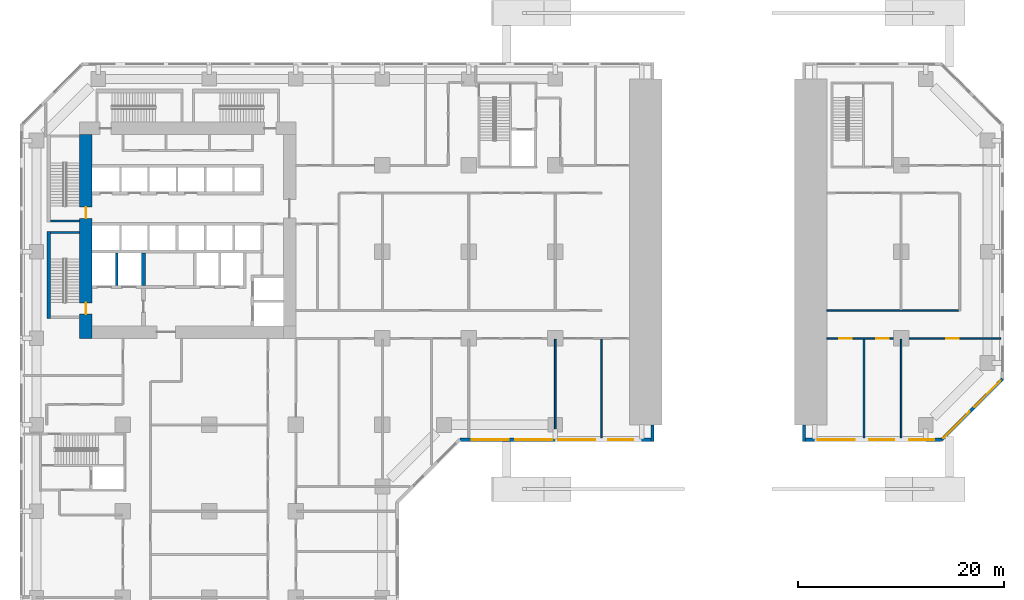
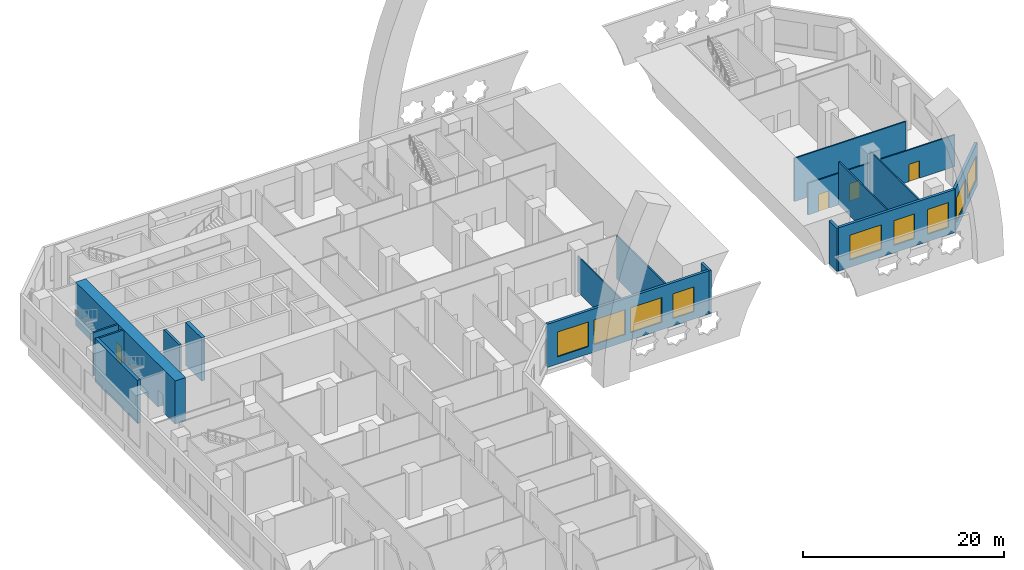
# One storey, part 8 of 19: 17 walls, 9 windows, 5 doors, 14 openings.
"""IFC4 building model written with IfcOpenShell, lengths in metres."""

from ifc_helpers import new_model, si_unit, direction, frame, frame_2d, origin, place, context, subcontext, project, spatial, rectangle, extrude, material, layer, layer_set, type_object, element, fill, save


model = new_model("IFC4")

# Units and contexts
model_context = context("Model", 3, precision=1e-05, world=origin(), true_north=direction((0.0, 1.0)))
body_context = subcontext(model_context, "Body", "Model", "MODEL_VIEW")
ifc_project = project(units=[si_unit("LENGTHUNIT", "METRE"), si_unit("AREAUNIT", "SQUARE_METRE"), si_unit("VOLUMEUNIT", "CUBIC_METRE"), si_unit("PLANEANGLEUNIT", "RADIAN"), si_unit("MASSUNIT", "GRAM", prefix="KILO")], contexts=[model_context])

# Site, building, storey
site_placement = place(None, origin())
site = spatial("IfcSite", under=ifc_project, at=site_placement, CompositionType="ELEMENT")
building_placement = place(site_placement, origin())
building = spatial("IfcBuilding", under=site, at=building_placement, Name="Kawkab Arch Medical Tower", CompositionType="ELEMENT")
storey_placement = place(building_placement, frame((0.0, 0.0, 12.60009765625)))
storey = spatial("IfcBuildingStorey", under=building, at=storey_placement, Name="L03", CompositionType="ELEMENT", Elevation=12.60009765625)

# Wall, openings, doors
ifc_material_1 = material(Name="Concrete C60/75", Category="concrete")
ifc_layer_1 = layer(ifc_material_1, 1.199951171875)
ifc_layer_set_1 = layer_set([ifc_layer_1], Name="Concrete C60/75")
wall_type_1 = type_object("IfcWallType", Name="Core ring wall 1200 C60/75", PredefinedType="SHEAR", material=ifc_layer_set_1)
wall_1_placement = place(storey_placement, frame((4.800048828125, -25.199951171875, 0.0), z_axis=(0.0, 0.0, 1.0), x_axis=(0.0, 1.0, 0.0)))
wall_1 = element("IfcWall", 1, at=wall_1_placement, inside=storey, type_object=wall_type_1, Name="L03 core wall", PredefinedType="SHEAR", context=body_context, shape_type="SweptSolid", body=[
    extrude(rectangle(XDim=19.800048828125, YDim=1.199951171875, at=frame_2d((9.89990234375, 0.0))), origin(), (0.0, 0.0, 1.0), 5.25),
])
opening_1_placement = place(wall_1_placement, frame((11.64990234375, 0.0, 0.0)))
opening_1 = element("IfcOpeningElement", 2, at=opening_1_placement, cuts=wall_1, Name="Opening SD", PredefinedType="OPENING", context=body_context, shape_type="SweptSolid", body=[
    extrude(rectangle(XDim=1.10009765625, YDim=2.10009765625, at=frame_2d((0.550048828125, 1.050048828125))), frame((0.0, 0.60986328125, 0.0), z_axis=(0.0, -1.0, 0.0), x_axis=(1.0, 0.0, 0.0)), (0.0, 0.0, 1.0), 1.219970703125),
])
opening_2_placement = place(wall_1_placement, frame((2.35009765625, 0.0, 0.0)))
opening_2 = element("IfcOpeningElement", 3, at=opening_2_placement, cuts=wall_1, Name="Opening SD", PredefinedType="OPENING", context=body_context, shape_type="SweptSolid", body=[
    extrude(rectangle(XDim=1.10009765625, YDim=2.10009765625, at=frame_2d((0.550048828125, 1.050048828125))), frame((0.0, 0.60986328125, 0.0), z_axis=(0.0, -1.0, 0.0), x_axis=(1.0, 0.0, 0.0)), (0.0, 0.0, 1.0), 1.219970703125),
])
ifc_material_2 = material(Name="Hollow metal fire door leaf")
door_type_1 = type_object("IfcDoorType", Name="Exit stair door 1100", OperationType="SINGLE_SWING_LEFT", PredefinedType="DOOR", material=ifc_material_2)
door_1_placement = place(opening_1_placement, origin())
door_1 = element("IfcDoor", 4, at=door_1_placement, inside=storey, type_object=door_type_1, Name="L03 Exit stair ST1 door", OperationType="SINGLE_SWING_LEFT", OverallHeight=2.10009765625, OverallWidth=1.10009765625, PredefinedType="DOOR", context=body_context, shape_type="SweptSolid", body=[
    extrude(rectangle(XDim=1.10009765625, YDim=2.10009765625, at=frame_2d((0.550048828125, 1.050048828125))), frame((0.0, 0.02490234375, 0.0), z_axis=(0.0, -1.0, 0.0), x_axis=(1.0, 0.0, 0.0)), (0.0, 0.0, 1.0), 0.050048828125),
])
fill(opening_1, door_1)
door_2_placement = place(opening_2_placement, origin())
door_2 = element("IfcDoor", 5, at=door_2_placement, inside=storey, type_object=door_type_1, Name="L03 Exit stair ST2 door", OperationType="SINGLE_SWING_LEFT", OverallHeight=2.10009765625, OverallWidth=1.10009765625, PredefinedType="DOOR", context=body_context, shape_type="SweptSolid", body=[
    extrude(rectangle(XDim=1.10009765625, YDim=2.10009765625, at=frame_2d((0.550048828125, 1.050048828125))), frame((0.0, 0.02490234375, 0.0), z_axis=(0.0, -1.0, 0.0), x_axis=(1.0, 0.0, 0.0)), (0.0, 0.0, 1.0), 0.050048828125),
])
fill(opening_2, door_2)

# Walls
ifc_material_3 = material(Name="Concrete C60/75", Category="concrete")
ifc_layer_2 = layer(ifc_material_3, 0.25)
ifc_layer_set_2 = layer_set([ifc_layer_2], Name="Concrete C60/75")
wall_type_2 = type_object("IfcWallType", Name="Core shear wall 250 C60/75", PredefinedType="SHEAR", material=ifc_layer_set_2)
wall_2_placement = place(storey_placement, frame((7.800048828125, -20.050048828125, 0.0), z_axis=(0.0, 0.0, 1.0), x_axis=(0.0, 1.0, 0.0)))
element("IfcWall", 6, at=wall_2_placement, inside=storey, type_object=wall_type_2, Name="L03 core shear wall", PredefinedType="SHEAR", context=body_context, shape_type="SweptSolid", body=[
    extrude(rectangle(XDim=3.150146484375, YDim=0.25, at=frame_2d((1.5751953125, 0.0))), origin(), (0.0, 0.0, 1.0), 5.25),
])
ifc_material_4 = material(Name="Concrete C60/75", Category="concrete")
ifc_layer_3 = layer(ifc_material_4, 0.39990234375)
ifc_layer_set_3 = layer_set([ifc_layer_3], Name="Concrete C60/75")
wall_type_3 = type_object("IfcWallType", Name="Core shear wall 400 C60/75", PredefinedType="SHEAR", material=ifc_layer_set_3)
wall_3_placement = place(storey_placement, frame((10.39990234375, -20.050048828125, 0.0), z_axis=(0.0, 0.0, 1.0), x_axis=(0.0, 1.0, 0.0)))
element("IfcWall", 7, at=wall_3_placement, inside=storey, type_object=wall_type_3, Name="L03 core shear wall", PredefinedType="SHEAR", context=body_context, shape_type="SweptSolid", body=[
    extrude(rectangle(XDim=3.150146484375, YDim=0.39990234375, at=frame_2d((1.5751953125, 0.0))), origin(), (0.0, 0.0, 1.0), 5.25),
])

# Wall, openings, doors
ifc_material_5 = material(Name="Gypsum board partition on steel studs, mineral wool", Category="steel")
ifc_layer_4 = layer(ifc_material_5, 0.14990234375)
ifc_layer_set_4 = layer_set([ifc_layer_4], Name="Gypsum board partition on steel studs, mineral wool")
wall_type_4 = type_object("IfcWallType", Name="Partition 150", PredefinedType="PARTITIONING", material=ifc_layer_set_4)
wall_4_placement = place(storey_placement, frame((76.800048828125, -25.199951171875, 0.0), z_axis=(0.0, 0.0, 1.0), x_axis=(1.0, 0.0, 0.0)))
wall_4 = element("IfcWall", 8, at=wall_4_placement, inside=storey, type_object=wall_type_4, Name="Partition 150 w034", PredefinedType="PARTITIONING", context=body_context, shape_type="SweptSolid", body=[
    extrude(rectangle(XDim=16.8798828125, YDim=0.14990234375, at=frame_2d((8.43994140625, 0.0))), origin(), (0.0, 0.0, 1.0), 3.849853515625),
])
opening_3_placement = place(wall_4_placement, frame((1.199951171875, 0.0, 0.0)))
opening_3 = element("IfcOpeningElement", 9, at=opening_3_placement, cuts=wall_4, Name="Opening P03-066", PredefinedType="OPENING", context=body_context, shape_type="SweptSolid", body=[
    extrude(rectangle(XDim=1.199951171875, YDim=2.10009765625, at=frame_2d((0.60009765625, 1.050048828125))), frame((0.0, 0.0849609375, 0.0), z_axis=(0.0, -1.0, 0.0), x_axis=(1.0, 0.0, 0.0)), (0.0, 0.0, 1.0), 0.169921875),
])
opening_4_placement = place(wall_4_placement, frame((4.800048828125, 0.0, 0.0)))
opening_4 = element("IfcOpeningElement", 10, at=opening_4_placement, cuts=wall_4, Name="Opening P03-067", PredefinedType="OPENING", context=body_context, shape_type="SweptSolid", body=[
    extrude(rectangle(XDim=1.199951171875, YDim=2.10009765625, at=frame_2d((0.60009765625, 1.050048828125))), frame((0.0, 0.0849609375, 0.0), z_axis=(0.0, -1.0, 0.0), x_axis=(1.0, 0.0, 0.0)), (0.0, 0.0, 1.0), 0.169921875),
])
opening_5_placement = place(wall_4_placement, frame((11.60009765625, 0.0, 0.0)))
opening_5 = element("IfcOpeningElement", 11, at=opening_5_placement, cuts=wall_4, Name="Opening P03-068", PredefinedType="OPENING", context=body_context, shape_type="SweptSolid", body=[
    extrude(rectangle(XDim=1.199951171875, YDim=2.10009765625, at=frame_2d((0.60009765625, 1.050048828125))), frame((0.0, 0.0849609375, 0.0), z_axis=(0.0, -1.0, 0.0), x_axis=(1.0, 0.0, 0.0)), (0.0, 0.0, 1.0), 0.169921875),
])
ifc_material_6 = material(Name="Hollow metal door leaf")
door_type_2 = type_object("IfcDoorType", Name="Single door 1200x2100 FD30S", OperationType="NOTDEFINED", PredefinedType="DOOR", material=ifc_material_6)
door_3_placement = place(opening_3_placement, origin())
door_3 = element("IfcDoor", 12, at=door_3_placement, inside=storey, type_object=door_type_2, Name="Door P03-066", OperationType="SINGLE_SWING_RIGHT", OverallHeight=2.10009765625, OverallWidth=1.199951171875, PredefinedType="DOOR", context=body_context, shape_type="SweptSolid", body=[
    extrude(rectangle(XDim=1.199951171875, YDim=2.10009765625, at=frame_2d((0.60009765625, 1.050048828125))), frame((0.0, 0.02490234375, 0.0), z_axis=(0.0, -1.0, 0.0), x_axis=(1.0, 0.0, 0.0)), (0.0, 0.0, 1.0), 0.050048828125),
])
fill(opening_3, door_3)
door_4_placement = place(opening_4_placement, origin())
door_4 = element("IfcDoor", 13, at=door_4_placement, inside=storey, type_object=door_type_2, Name="Door P03-067", OperationType="SINGLE_SWING_RIGHT", OverallHeight=2.10009765625, OverallWidth=1.199951171875, PredefinedType="DOOR", context=body_context, shape_type="SweptSolid", body=[
    extrude(rectangle(XDim=1.199951171875, YDim=2.10009765625, at=frame_2d((0.60009765625, 1.050048828125))), frame((0.0, 0.02490234375, 0.0), z_axis=(0.0, -1.0, 0.0), x_axis=(1.0, 0.0, 0.0)), (0.0, 0.0, 1.0), 0.050048828125),
])
fill(opening_4, door_4)
door_5_placement = place(opening_5_placement, origin())
door_5 = element("IfcDoor", 14, at=door_5_placement, inside=storey, type_object=door_type_2, Name="Door P03-068", OperationType="SINGLE_SWING_LEFT", OverallHeight=2.10009765625, OverallWidth=1.199951171875, PredefinedType="DOOR", context=body_context, shape_type="SweptSolid", body=[
    extrude(rectangle(XDim=1.199951171875, YDim=2.10009765625, at=frame_2d((0.60009765625, 1.050048828125))), frame((0.0, 0.02490234375, 0.0), z_axis=(0.0, -1.0, 0.0), x_axis=(1.0, 0.0, 0.0)), (0.0, 0.0, 1.0), 0.050048828125),
])
fill(opening_5, door_5)

# Walls
wall_5_placement = place(storey_placement, frame((76.800048828125, -22.5, 0.0), z_axis=(0.0, 0.0, 1.0), x_axis=(1.0, 0.0, 0.0)))
element("IfcWall", 15, at=wall_5_placement, inside=storey, type_object=wall_type_4, Name="Partition 150 w036", PredefinedType="PARTITIONING", context=body_context, shape_type="SweptSolid", body=[
    extrude(rectangle(XDim=12.824951171875, YDim=0.14990234375, at=frame_2d((6.41259765625, 0.0))), origin(), (0.0, 0.0, 1.0), 5.25),
])
wall_6_placement = place(storey_placement, frame((50.39990234375, -34.8798828125, 0.0), z_axis=(0.0, 0.0, 1.0), x_axis=(0.0, 1.0, 0.0)))
element("IfcWall", 16, at=wall_6_placement, inside=storey, type_object=wall_type_4, Name="Partition 150 w072", PredefinedType="PARTITIONING", context=body_context, shape_type="SweptSolid", body=[
    extrude(rectangle(XDim=9.60498046875, YDim=0.14990234375, at=frame_2d((4.802490234375, 0.0))), origin(), (0.0, 0.0, 1.0), 4.349853515625),
])
for number, where, z_axis, x_axis, name in (
    (17, (54.89990234375, -34.8798828125, 0.0), (0.0, 0.0, 1.0), (0.0, 1.0, 0.0), "Partition 150 w076"),
    (18, (80.39990234375, -34.8798828125, 0.0), (0.0, 0.0, 1.0), (0.0, 1.0, 0.0), "Partition 150 w077"),
    (19, (84.0, -34.8798828125, 0.0), (0.0, 0.0, 1.0), (0.0, 1.0, 0.0), "Partition 150 w078"),
):
    element("IfcWall", number, at=place(storey_placement, frame(where, z_axis=z_axis, x_axis=x_axis)), inside=storey, type_object=wall_type_4, Name=name, PredefinedType="PARTITIONING", context=body_context, shape_type="SweptSolid", body=[
        extrude(rectangle(XDim=9.60498046875, YDim=0.14990234375, at=frame_2d((4.802490234375, 0.0))), origin(), (0.0, 0.0, 1.0), 5.25),
    ])

# Wall, openings, windows
ifc_material_7 = material(Name="Bronze clad insulated wall panel")
ifc_layer_5 = layer(ifc_material_7, 0.300048828125)
ifc_layer_set_5 = layer_set([ifc_layer_5], Name="Bronze clad insulated wall panel")
wall_type_5 = type_object("IfcWallType", Name="Podium external wall 300", PredefinedType="SOLIDWALL", material=ifc_layer_set_5)
wall_7_placement = place(storey_placement, frame((41.137939453125, -35.050048828125, 0.0), z_axis=(0.0, 0.0, 1.0), x_axis=(1.0, 0.0, 0.0)))
wall_7 = element("IfcWall", 20, at=wall_7_placement, inside=storey, type_object=wall_type_5, Name="Podium external wall L03 R03", PredefinedType="SOLIDWALL", context=body_context, shape_type="SweptSolid", body=[
    extrude(rectangle(XDim=18.712158203125, YDim=0.300048828125, at=frame_2d((9.35595703125, 0.0))), origin(), (0.0, 0.0, 1.0), 5.25),
])
opening_6_placement = place(wall_7_placement, frame((1.162109375, 0.0, 0.89990234375)))
opening_6 = element("IfcOpeningElement", 21, at=opening_6_placement, cuts=wall_7, Name="Opening PBW360-30-S9", PredefinedType="OPENING", context=body_context, shape_type="SweptSolid", body=[
    extrude(rectangle(XDim=3.60009765625, YDim=3.0, at=frame_2d((1.800048828125, 1.5))), frame((0.0, 0.159912109375, 0.0), z_axis=(0.0, -1.0, 0.0), x_axis=(1.0, 0.0, 0.0)), (0.0, 0.0, 1.0), 0.320068359375),
])
opening_7_placement = place(wall_7_placement, frame((5.362060546875, 0.0, 0.89990234375)))
opening_7 = element("IfcOpeningElement", 22, at=opening_7_placement, cuts=wall_7, Name="Opening PBW360-30-S9", PredefinedType="OPENING", context=body_context, shape_type="SweptSolid", body=[
    extrude(rectangle(XDim=3.60009765625, YDim=3.0, at=frame_2d((1.800048828125, 1.5))), frame((0.0, 0.159912109375, 0.0), z_axis=(0.0, -1.0, 0.0), x_axis=(1.0, 0.0, 0.0)), (0.0, 0.0, 1.0), 0.320068359375),
])
opening_8_placement = place(wall_7_placement, frame((9.56201171875, 0.0, 0.89990234375)))
opening_8 = element("IfcOpeningElement", 23, at=opening_8_placement, cuts=wall_7, Name="Opening PBW360-30-S9", PredefinedType="OPENING", context=body_context, shape_type="SweptSolid", body=[
    extrude(rectangle(XDim=3.60009765625, YDim=3.0, at=frame_2d((1.800048828125, 1.5))), frame((0.0, 0.159912109375, 0.0), z_axis=(0.0, -1.0, 0.0), x_axis=(1.0, 0.0, 0.0)), (0.0, 0.0, 1.0), 0.320068359375),
])
opening_9_placement = place(wall_7_placement, frame((14.43701171875, 0.0, 0.89990234375)))
opening_9 = element("IfcOpeningElement", 24, at=opening_9_placement, cuts=wall_7, Name="Opening PBW240-30-S9", PredefinedType="OPENING", context=body_context, shape_type="SweptSolid", body=[
    extrude(rectangle(XDim=2.39990234375, YDim=3.0, at=frame_2d((1.199951171875, 1.5))), frame((0.0, 0.159912109375, 0.0), z_axis=(0.0, -1.0, 0.0), x_axis=(1.0, 0.0, 0.0)), (0.0, 0.0, 1.0), 0.320068359375),
])
ifc_material_8 = material(Name="Bronze anodised aluminium louvred window", Category="aluminium")
window_type_1 = type_object("IfcWindowType", Name="Podium band window 2400 x 3000 sill 900", PartitioningType="DOUBLE_PANEL_VERTICAL", PredefinedType="WINDOW", material=ifc_material_8)
window_1_placement = place(opening_9_placement, origin())
window_1 = element("IfcWindow", 25, at=window_1_placement, inside=storey, type_object=window_type_1, Name="Band window L03 R03.4", OverallHeight=3.0, OverallWidth=2.39990234375, PartitioningType="SINGLE_PANEL", PredefinedType="WINDOW", context=body_context, shape_type="SweptSolid", body=[
    extrude(rectangle(XDim=2.39990234375, YDim=3.0, at=frame_2d((1.199951171875, 1.5))), frame((0.0, 0.030029296875, 0.0), z_axis=(0.0, -1.0, 0.0), x_axis=(1.0, 0.0, 0.0)), (0.0, 0.0, 1.0), 0.06005859375),
])
fill(opening_9, window_1)
ifc_material_9 = material(Name="Bronze anodised aluminium louvred window", Category="aluminium")
window_type_2 = type_object("IfcWindowType", Name="Podium band window 3600 x 3000 sill 900", PartitioningType="DOUBLE_PANEL_VERTICAL", PredefinedType="WINDOW", material=ifc_material_9)
window_2_placement = place(opening_6_placement, origin())
window_2 = element("IfcWindow", 26, at=window_2_placement, inside=storey, type_object=window_type_2, Name="Band window L03 R03.1", OverallHeight=3.0, OverallWidth=3.60009765625, PartitioningType="SINGLE_PANEL", PredefinedType="WINDOW", context=body_context, shape_type="SweptSolid", body=[
    extrude(rectangle(XDim=3.60009765625, YDim=3.0, at=frame_2d((1.800048828125, 1.5))), frame((0.0, 0.030029296875, 0.0), z_axis=(0.0, -1.0, 0.0), x_axis=(1.0, 0.0, 0.0)), (0.0, 0.0, 1.0), 0.06005859375),
])
fill(opening_6, window_2)
window_3_placement = place(opening_7_placement, origin())
window_3 = element("IfcWindow", 27, at=window_3_placement, inside=storey, type_object=window_type_2, Name="Band window L03 R03.2", OverallHeight=3.0, OverallWidth=3.60009765625, PartitioningType="SINGLE_PANEL", PredefinedType="WINDOW", context=body_context, shape_type="SweptSolid", body=[
    extrude(rectangle(XDim=3.60009765625, YDim=3.0, at=frame_2d((1.800048828125, 1.5))), frame((0.0, 0.030029296875, 0.0), z_axis=(0.0, -1.0, 0.0), x_axis=(1.0, 0.0, 0.0)), (0.0, 0.0, 1.0), 0.06005859375),
])
fill(opening_7, window_3)
window_4_placement = place(opening_8_placement, origin())
window_4 = element("IfcWindow", 28, at=window_4_placement, inside=storey, type_object=window_type_2, Name="Band window L03 R03.3", OverallHeight=3.0, OverallWidth=3.60009765625, PartitioningType="SINGLE_PANEL", PredefinedType="WINDOW", context=body_context, shape_type="SweptSolid", body=[
    extrude(rectangle(XDim=3.60009765625, YDim=3.0, at=frame_2d((1.800048828125, 1.5))), frame((0.0, 0.030029296875, 0.0), z_axis=(0.0, -1.0, 0.0), x_axis=(1.0, 0.0, 0.0)), (0.0, 0.0, 1.0), 0.06005859375),
])
fill(opening_8, window_4)

# Walls
for number, where, z_axis, x_axis, name in (
    (29, (59.85009765625, -35.199951171875, 0.0), (0.0, 0.0, 1.0), (0.0, 1.0, 0.0), "Podium slot-side wall L03 R04.1"),
    (30, (74.550048828125, -33.60009765625, 0.0), (0.0, 0.0, 1.0), (0.0, -1.0, 0.0), "Podium slot-side wall L03 R14.1"),
):
    element("IfcWall", number, at=place(storey_placement, frame(where, z_axis=z_axis, x_axis=x_axis)), inside=storey, type_object=wall_type_5, Name=name, PredefinedType="SOLIDWALL", context=body_context, shape_type="SweptSolid", body=[
        extrude(rectangle(XDim=1.599853515625, YDim=0.300048828125, at=frame_2d((0.7998046875, 0.0))), origin(), (0.0, 0.0, 1.0), 5.25),
    ])

# Wall, openings, windows
wall_8_placement = place(storey_placement, frame((74.550048828125, -35.050048828125, 0.0), z_axis=(0.0, 0.0, 1.0), x_axis=(1.0, 0.0, 0.0)))
wall_8 = element("IfcWall", 31, at=wall_8_placement, inside=storey, type_object=wall_type_5, Name="Podium external wall L03 R15", PredefinedType="SOLIDWALL", context=body_context, shape_type="SweptSolid", body=[
    extrude(rectangle(XDim=13.387939453125, YDim=0.300048828125, at=frame_2d((6.69384765625, 0.0))), origin(), (0.0, 0.0, 1.0), 5.25),
])
opening_10_placement = place(wall_8_placement, frame((1.35009765625, 0.0, 0.89990234375)))
opening_10 = element("IfcOpeningElement", 32, at=opening_10_placement, cuts=wall_8, Name="Opening PBW360-30-S9", PredefinedType="OPENING", context=body_context, shape_type="SweptSolid", body=[
    extrude(rectangle(XDim=3.60009765625, YDim=3.0, at=frame_2d((1.800048828125, 1.5))), frame((0.0, 0.159912109375, 0.0), z_axis=(0.0, -1.0, 0.0), x_axis=(1.0, 0.0, 0.0)), (0.0, 0.0, 1.0), 0.320068359375),
])
opening_11_placement = place(wall_8_placement, frame((6.375, 0.0, 0.89990234375)))
opening_11 = element("IfcOpeningElement", 33, at=opening_11_placement, cuts=wall_8, Name="Opening PBW240-30-S9", PredefinedType="OPENING", context=body_context, shape_type="SweptSolid", body=[
    extrude(rectangle(XDim=2.39990234375, YDim=3.0, at=frame_2d((1.199951171875, 1.5))), frame((0.0, 0.159912109375, 0.0), z_axis=(0.0, -1.0, 0.0), x_axis=(1.0, 0.0, 0.0)), (0.0, 0.0, 1.0), 0.320068359375),
])
opening_12_placement = place(wall_8_placement, frame((10.25, 0.0, 0.89990234375)))
opening_12 = element("IfcOpeningElement", 34, at=opening_12_placement, cuts=wall_8, Name="Opening PBW240-30-S9", PredefinedType="OPENING", context=body_context, shape_type="SweptSolid", body=[
    extrude(rectangle(XDim=2.39990234375, YDim=3.0, at=frame_2d((1.199951171875, 1.5))), frame((0.0, 0.159912109375, 0.0), z_axis=(0.0, -1.0, 0.0), x_axis=(1.0, 0.0, 0.0)), (0.0, 0.0, 1.0), 0.320068359375),
])
window_5_placement = place(opening_11_placement, origin())
window_5 = element("IfcWindow", 35, at=window_5_placement, inside=storey, type_object=window_type_1, Name="Band window L03 R15.2", OverallHeight=3.0, OverallWidth=2.39990234375, PartitioningType="SINGLE_PANEL", PredefinedType="WINDOW", context=body_context, shape_type="SweptSolid", body=[
    extrude(rectangle(XDim=2.39990234375, YDim=3.0, at=frame_2d((1.199951171875, 1.5))), frame((0.0, 0.030029296875, 0.0), z_axis=(0.0, -1.0, 0.0), x_axis=(1.0, 0.0, 0.0)), (0.0, 0.0, 1.0), 0.06005859375),
])
fill(opening_11, window_5)
window_6_placement = place(opening_12_placement, origin())
window_6 = element("IfcWindow", 36, at=window_6_placement, inside=storey, type_object=window_type_1, Name="Band window L03 R15.3", OverallHeight=3.0, OverallWidth=2.39990234375, PartitioningType="SINGLE_PANEL", PredefinedType="WINDOW", context=body_context, shape_type="SweptSolid", body=[
    extrude(rectangle(XDim=2.39990234375, YDim=3.0, at=frame_2d((1.199951171875, 1.5))), frame((0.0, 0.030029296875, 0.0), z_axis=(0.0, -1.0, 0.0), x_axis=(1.0, 0.0, 0.0)), (0.0, 0.0, 1.0), 0.06005859375),
])
fill(opening_12, window_6)
window_7_placement = place(opening_10_placement, origin())
window_7 = element("IfcWindow", 37, at=window_7_placement, inside=storey, type_object=window_type_2, Name="Band window L03 R15.1", OverallHeight=3.0, OverallWidth=3.60009765625, PartitioningType="SINGLE_PANEL", PredefinedType="WINDOW", context=body_context, shape_type="SweptSolid", body=[
    extrude(rectangle(XDim=3.60009765625, YDim=3.0, at=frame_2d((1.800048828125, 1.5))), frame((0.0, 0.030029296875, 0.0), z_axis=(0.0, -1.0, 0.0), x_axis=(1.0, 0.0, 0.0)), (0.0, 0.0, 1.0), 0.06005859375),
])
fill(opening_10, window_7)

wall_9_placement = place(storey_placement, frame((87.93798828125, -35.050048828125, 0.0), z_axis=(0.0, 0.0, 1.0), x_axis=(0.707106781187, 0.707106781187, 0.0)))
wall_9 = element("IfcWall", 38, at=wall_9_placement, inside=storey, type_object=wall_type_5, Name="Podium external wall L03 R16", PredefinedType="SOLIDWALL", context=body_context, shape_type="SweptSolid", body=[
    extrude(rectangle(XDim=8.361083984375, YDim=0.300048828125, at=frame_2d((4.1806640625, 0.0))), origin(), (0.0, 0.0, 1.0), 5.25),
])
opening_13_placement = place(wall_9_placement, frame((0.259033203125, 0.0, 0.89990234375)))
opening_13 = element("IfcOpeningElement", 39, at=opening_13_placement, cuts=wall_9, Name="Opening PBW360-30-S9", PredefinedType="OPENING", context=body_context, shape_type="SweptSolid", body=[
    extrude(rectangle(XDim=3.60009765625, YDim=3.0, at=frame_2d((1.800048828125, 1.5))), frame((0.0, 0.159912109375, 0.0), z_axis=(0.0, -1.0, 0.0), x_axis=(1.0, 0.0, 0.0)), (0.0, 0.0, 1.0), 0.320068359375),
])
opening_14_placement = place(wall_9_placement, frame((4.501708984375, 0.0, 0.89990234375)))
opening_14 = element("IfcOpeningElement", 40, at=opening_14_placement, cuts=wall_9, Name="Opening PBW360-30-S9", PredefinedType="OPENING", context=body_context, shape_type="SweptSolid", body=[
    extrude(rectangle(XDim=3.60009765625, YDim=3.0, at=frame_2d((1.800048828125, 1.5))), frame((0.0, 0.159912109375, 0.0), z_axis=(0.0, -1.0, 0.0), x_axis=(1.0, 0.0, 0.0)), (0.0, 0.0, 1.0), 0.320068359375),
])
window_8_placement = place(opening_13_placement, origin())
window_8 = element("IfcWindow", 41, at=window_8_placement, inside=storey, type_object=window_type_2, Name="Band window L03 R16.1", OverallHeight=3.0, OverallWidth=3.60009765625, PartitioningType="SINGLE_PANEL", PredefinedType="WINDOW", context=body_context, shape_type="SweptSolid", body=[
    extrude(rectangle(XDim=3.60009765625, YDim=3.0, at=frame_2d((1.800048828125, 1.5))), frame((0.0, 0.030029296875, 0.0), z_axis=(0.0, -1.0, 0.0), x_axis=(1.0, 0.0, 0.0)), (0.0, 0.0, 1.0), 0.06005859375),
])
fill(opening_13, window_8)
window_9_placement = place(opening_14_placement, origin())
window_9 = element("IfcWindow", 42, at=window_9_placement, inside=storey, type_object=window_type_2, Name="Band window L03 R16.2", OverallHeight=3.0, OverallWidth=3.60009765625, PartitioningType="SINGLE_PANEL", PredefinedType="WINDOW", context=body_context, shape_type="SweptSolid", body=[
    extrude(rectangle(XDim=3.60009765625, YDim=3.0, at=frame_2d((1.800048828125, 1.5))), frame((0.0, 0.030029296875, 0.0), z_axis=(0.0, -1.0, 0.0), x_axis=(1.0, 0.0, 0.0)), (0.0, 0.0, 1.0), 0.06005859375),
])
fill(opening_14, window_9)

# Walls
ifc_material_10 = material(Name="Concrete C50/60", Category="concrete")
ifc_layer_6 = layer(ifc_material_10, 0.199951171875)
ifc_layer_set_6 = layer_set([ifc_layer_6], Name="Concrete C50/60")
wall_type_6 = type_object("IfcWallType", Name="Stair enclosure wall 200 C50/60", PredefinedType="SHEAR", material=ifc_layer_set_6)
for number, where, z_axis, x_axis, name in (
    (43, (1.35009765625, -13.800048828125, 0.0), (0.0, 0.0, 1.0), (1.0, 0.0, 0.0), "L03 stair enclosure wall"),
    (44, (1.35009765625, -14.89990234375, 0.0), (0.0, 0.0, 1.0), (1.0, 0.0, 0.0), "L03 stair enclosure wall"),
):
    element("IfcWall", number, at=place(storey_placement, frame(where, z_axis=z_axis, x_axis=x_axis)), inside=storey, type_object=wall_type_6, Name=name, PredefinedType="SHEAR", context=body_context, shape_type="SweptSolid", body=[
        extrude(rectangle(XDim=2.849853515625, YDim=0.199951171875, at=frame_2d((1.4248046875, 0.0))), origin(), (0.0, 0.0, 1.0), 5.25),
    ])
ifc_material_11 = material(Name="Concrete C50/60", Category="concrete")
ifc_layer_7 = layer(ifc_material_11, 0.35009765625)
ifc_layer_set_7 = layer_set([ifc_layer_7], Name="Concrete C50/60")
wall_type_7 = type_object("IfcWallType", Name="Stair enclosure wall 350 C50/60", PredefinedType="SHEAR", material=ifc_layer_set_7)
wall_10_placement = place(storey_placement, frame((1.175048828125, -23.25, 0.0), z_axis=(0.0, 0.0, 1.0), x_axis=(0.0, 1.0, 0.0)))
element("IfcWall", 45, at=wall_10_placement, inside=storey, type_object=wall_type_7, Name="L03 stair enclosure wall", PredefinedType="SHEAR", context=body_context, shape_type="SweptSolid", body=[
    extrude(rectangle(XDim=8.449951171875, YDim=0.35009765625, at=frame_2d((4.22509765625, 0.0))), origin(), (0.0, 0.0, 1.0), 5.25),
])

save(model, "model.ifc")
